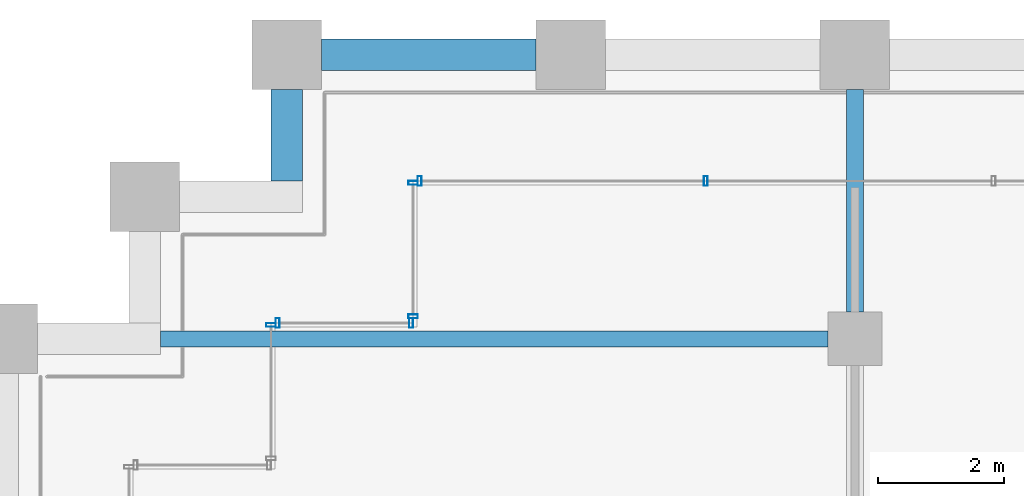
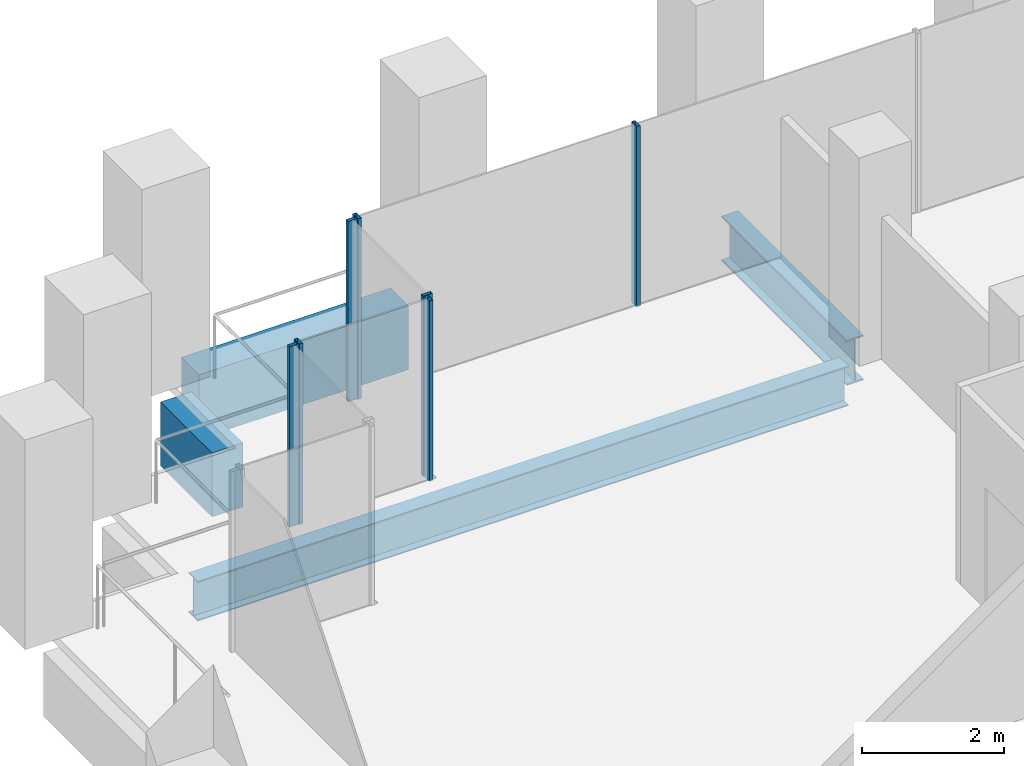
# One storey, part 26 of 56: 7 members, 4 beams, 4 elements without a shape of their own.
"""IFC4 building model written with IfcOpenShell, lengths in metres."""

import ifcopenshell
import ifcopenshell.guid

model = None  # the IFC model being written
_history = None  # IfcOwnerHistory: only IFC2X3 demands one
_inside = {}  # id of a spatial element -> (the spatial element, [elements in it])
_under = {}  # id of a project, library or spatial element -> (it, [spatial elements below it])
_declared = {}  # id of a project -> (the project, [libraries it declares])
_typed = {}  # id of a type object -> (the type object, [elements of that type])
_made_of = {}  # id of a material, layer set ... -> (it, [elements and type objects made of it])


def new_model(schema):
    """Start an empty IFC model of exactly this schema.

    Asked for "IFC4X3", IfcOpenShell would pick the latest addendum, in which some entities
    have other attributes; the version numbers below select the first issue.
    IFC2X3 requires an IfcOwnerHistory on every rooted entity: one is made here for all.
    """
    global model, _history
    if schema == "IFC4X3":
        model = ifcopenshell.file(schema_version=(4, 3, 0, 0))
    else:
        model = ifcopenshell.file(schema=schema)
    _inside.clear()
    _under.clear()
    _declared.clear()
    _typed.clear()
    _made_of.clear()
    _history = None
    if model.schema == "IFC2X3":
        org = make("IfcOrganization", Name="unknown")
        user = make(
            "IfcPersonAndOrganization",
            ThePerson=make("IfcPerson", FamilyName="unknown"),
            TheOrganization=org,
        )
        app = make(
            "IfcApplication",
            ApplicationDeveloper=org,
            Version="unknown",
            ApplicationFullName="unknown",
            ApplicationIdentifier="unknown",
        )
        _history = make(
            "IfcOwnerHistory",
            OwningUser=user,
            OwningApplication=app,
            ChangeAction="ADDED",
            CreationDate=0,
        )
    return model


def make(cls, **values):
    """One entity of the class cls with the attributes given. An attribute that is None is left unset."""
    return model.create_entity(
        cls, **{name: value for name, value in values.items() if value is not None}
    )


def rooted(cls, **values):
    """An entity with a GlobalId (a new one), such as an element, a storey or a relation."""
    return make(cls, GlobalId=ifcopenshell.guid.new(), OwnerHistory=_history, **values)


def si_unit(unit_type, name, prefix=None):
    """IfcSIUnit, for example si_unit("LENGTHUNIT", "METRE", prefix="MILLI")."""
    return make("IfcSIUnit", UnitType=unit_type, Prefix=prefix, Name=name)


def assignment(units):
    """IfcUnitAssignment: the units of a project."""
    return None if units is None else make("IfcUnitAssignment", Units=units)


def point(xyz):
    """IfcCartesianPoint."""
    return None if xyz is None else make("IfcCartesianPoint", Coordinates=xyz)


def direction(xyz):
    """IfcDirection."""
    return None if xyz is None else make("IfcDirection", DirectionRatios=xyz)


def frame(location, z_axis=None, x_axis=None):
    """IfcAxis2Placement3D, a coordinate frame: its origin and axes. An axis left out is left unset."""
    return make(
        "IfcAxis2Placement3D",
        Location=point(location),
        Axis=direction(z_axis),
        RefDirection=direction(x_axis),
    )


def frame_2d(location, x_axis=None):
    """IfcAxis2Placement2D, a coordinate frame in the plane: its origin and x axis."""
    return make(
        "IfcAxis2Placement2D", Location=point(location), RefDirection=direction(x_axis)
    )


def origin():
    """The frame at (0, 0, 0) with its axes left unset."""
    return frame((0.0, 0.0, 0.0))


def origin_2d():
    """The frame at (0, 0) in the plane with its x axis left unset."""
    return frame_2d((0.0, 0.0))


def place(relative_to, where):
    """IfcLocalPlacement: puts the frame where relative to a parent placement (None: the world)."""
    return make(
        "IfcLocalPlacement", PlacementRelTo=relative_to, RelativePlacement=where
    )


def context(
    kind, dimensions, precision=None, world=None, true_north=None, identifier=None
):
    """IfcGeometricRepresentationContext, for example the 3D "Model" context."""
    return make(
        "IfcGeometricRepresentationContext",
        ContextIdentifier=identifier,
        ContextType=kind,
        CoordinateSpaceDimension=dimensions,
        Precision=precision,
        WorldCoordinateSystem=world,
        TrueNorth=true_north,
    )


def subcontext(parent, identifier, kind, view, scale=None):
    """IfcGeometricRepresentationSubContext, for example "Body" below "Model"."""
    return make(
        "IfcGeometricRepresentationSubContext",
        ContextIdentifier=identifier,
        ContextType=kind,
        ParentContext=parent,
        TargetScale=scale,
        TargetView=view,
    )


def project(units=None, contexts=None):
    """IfcProject with its units and contexts."""
    return rooted(
        "IfcProject",
        Name="project",
        RepresentationContexts=contexts,
        UnitsInContext=assignment(units),
    )


def spatial(cls, under=None, at=None, **own):
    """A site, building, storey or space (cls), placed at a placement, below another one or the project."""
    s = rooted(cls, ObjectPlacement=at, **own)
    if under is not None:
        _under.setdefault(under.id(), (under, []))[1].append(s)
    return s


def profile(cls, at=None, kind="AREA", **sizes):
    """A parametric profile (cls). Its sizes go by their IFC names, for example OverallWidth=200.0."""
    return make(cls, ProfileType=kind, Position=at, **sizes)


def rectangle(**sizes):
    """IfcRectangleProfileDef."""
    return profile("IfcRectangleProfileDef", **sizes)


def hollow_rectangle(**sizes):
    """IfcRectangleHollowProfileDef."""
    return profile("IfcRectangleHollowProfileDef", **sizes)


def i_section(**sizes):
    """IfcIShapeProfileDef."""
    return profile("IfcIShapeProfileDef", **sizes)


def extrude(swept, where, along, depth):
    """IfcExtrudedAreaSolid: the profile swept, set in the frame where, extruded along a direction by depth."""
    return make(
        "IfcExtrudedAreaSolid",
        SweptArea=swept,
        Position=where,
        ExtrudedDirection=direction(along),
        Depth=depth,
    )


def shape(context_of_items, identifier, shape_type, items):
    """IfcShapeRepresentation: the items that make up one representation, for example the "Body"."""
    return make(
        "IfcShapeRepresentation",
        ContextOfItems=context_of_items,
        RepresentationIdentifier=identifier,
        RepresentationType=shape_type,
        Items=items,
    )


def material(Name=None, Category=None):
    """IfcMaterial."""
    return make("IfcMaterial", Name=Name, Category=Category)


def material_profile(
    of_material, cross_section, Name=None, Category=None, Priority=None
):
    """IfcMaterialProfile: a cross section and its material."""
    return make(
        "IfcMaterialProfile",
        Name=Name,
        Material=of_material,
        Profile=cross_section,
        Priority=Priority,
        Category=Category,
    )


def profile_set(profiles, Name=None, composite=None):
    """IfcMaterialProfileSet."""
    return make(
        "IfcMaterialProfileSet",
        Name=Name,
        MaterialProfiles=profiles,
        CompositeProfile=composite,
    )


def made_of(thing, what):
    """Note that an element or type object is made of a material, layer set ...; save() writes the relation."""
    if what is not None:
        _made_of.setdefault(what.id(), (what, []))[1].append(thing)
    return thing


def type_object(cls, material=None, **own):
    """A type object (cls), such as IfcWallType, which elements share."""
    return made_of(rooted(cls, **own), material)


def element(
    cls,
    number,
    at=None,
    inside=None,
    cuts=None,
    type_object=None,
    material=None,
    context=None,
    identifier="Body",
    shape_type=None,
    held_by="IfcProductDefinitionShape",
    body=None,
    shapes=None,
    **own,
):
    """One element of the class cls, such as IfcWall. Its Tag is "e" and its number.

    at: its placement. inside: the storey or other place that contains it. cuts: it is an
    opening in that element (IfcRelVoidsElement). A single representation is given by context,
    identifier, shape_type and body (its items); several are given by shapes. held_by: the class
    of the entity that holds the representations. save() writes the other relations.
    """
    e = rooted(cls, Tag="e%d" % number, ObjectPlacement=at, **own)
    if body is not None:
        shapes = [shape(context, identifier, shape_type, body)]
    if shapes is not None:
        e.Representation = make(held_by, Representations=shapes)
    if inside is not None:
        _inside.setdefault(inside.id(), (inside, []))[1].append(e)
    if cuts is not None:
        rooted(
            "IfcRelVoidsElement", RelatingBuildingElement=cuts, RelatedOpeningElement=e
        )
    if type_object is not None:
        _typed.setdefault(type_object.id(), (type_object, []))[1].append(e)
    return made_of(e, material)


def aggregate(whole, parts):
    """IfcRelAggregates: a whole, such as a stair, and the parts it consists of."""
    return rooted("IfcRelAggregates", RelatingObject=whole, RelatedObjects=parts)


def save(model, path):
    """Write the relations noted so far, then the file.

    IfcRelAggregates (storeys below a building ...), IfcRelContainedInSpatialStructure (elements
    in a storey), IfcRelDefinesByType, IfcRelAssociatesMaterial and IfcRelDeclares: one each for
    every whole, place, type object, material and project.
    """
    for whole, parts in _under.values():
        aggregate(whole, parts)
    for where, things in _inside.values():
        rooted(
            "IfcRelContainedInSpatialStructure",
            RelatedElements=things,
            RelatingStructure=where,
        )
    for kind, things in _typed.values():
        rooted("IfcRelDefinesByType", RelatedObjects=things, RelatingType=kind)
    for what, things in _made_of.values():
        rooted("IfcRelAssociatesMaterial", RelatedObjects=things, RelatingMaterial=what)
    for by, libraries in _declared.values():
        rooted("IfcRelDeclares", RelatingContext=by, RelatedDefinitions=libraries)
    model.write(path)


model = new_model("IFC4")

# Units and contexts
model_context = context("Model", 3, precision=1e-05, world=origin(), true_north=direction((0.0, 1.0)))
body_context = subcontext(model_context, "Body", "Model", "MODEL_VIEW")
ifc_project = project(units=[si_unit("LENGTHUNIT", "METRE"), si_unit("AREAUNIT", "SQUARE_METRE"), si_unit("VOLUMEUNIT", "CUBIC_METRE"), si_unit("PLANEANGLEUNIT", "RADIAN"), si_unit("MASSUNIT", "GRAM", prefix="KILO")], contexts=[model_context])

# Site, building, storey
site_placement = place(None, origin())
site = spatial("IfcSite", under=ifc_project, at=site_placement, CompositionType="ELEMENT")
building_placement = place(site_placement, origin())
building = spatial("IfcBuilding", under=site, at=building_placement, Name="Altepetl Exchange Towers", CompositionType="ELEMENT")
storey_placement = place(building_placement, frame((0.0, 0.0, 83.39990234375)))
storey = spatial("IfcBuildingStorey", under=building, at=storey_placement, Name="L20", CompositionType="ELEMENT", Elevation=83.39990234375)

# Beams
ifc_material_1 = material(Name="Steel S355", Category="steel")
ifc_material_profile_1 = material_profile(ifc_material_1, i_section(OverallWidth=0.25390625, OverallDepth=0.68408203125, WebThickness=0.012451171875, FlangeThickness=0.018798828125, at=origin_2d()), Name="W27X94")
ifc_profile_set_1 = profile_set([ifc_material_profile_1], Name="Steel S355")
beam_type_1 = type_object("IfcBeamType", Name="Floor beam W27X94", PredefinedType="BEAM", material=ifc_profile_set_1)
beam_1_placement = place(storey_placement, frame((29.5, 67.5, -0.491943359375), z_axis=(1.0, 0.0, 0.0), x_axis=(0.0, 1.0, 0.0)))
element("IfcBeam", 1, at=beam_1_placement, inside=storey, type_object=beam_type_1, Name="bm:A:L20:023", PredefinedType="BEAM", context=body_context, shape_type="SweptSolid", body=[
    extrude(i_section(OverallWidth=0.25390625, OverallDepth=0.68408203125, WebThickness=0.012451171875, FlangeThickness=0.018798828125, at=origin_2d()), origin(), (0.0, 0.0, 1.0), 10.574951171875),
])
ifc_material_profile_2 = material_profile(ifc_material_1, i_section(OverallWidth=0.26806640625, OverallDepth=0.77392578125, WebThickness=0.015380859375, FlangeThickness=0.025390625, at=origin_2d()), Name="W30X132")
ifc_profile_set_2 = profile_set([ifc_material_profile_2], Name="Steel S355")
beam_type_2 = type_object("IfcBeamType", Name="Girder W30X132", PredefinedType="BEAM", material=ifc_profile_set_2)
beam_2_placement = place(storey_placement, frame((40.5, 71.449951171875, -0.536865234375), z_axis=(0.0, -1.0, 0.0), x_axis=(1.0, 0.0, 0.0)))
element("IfcBeam", 2, at=beam_2_placement, inside=storey, type_object=beam_type_2, Name="gd:A:L20:003", PredefinedType="BEAM", context=body_context, shape_type="SweptSolid", body=[
    extrude(i_section(OverallWidth=0.26806640625, OverallDepth=0.77392578125, WebThickness=0.015380859375, FlangeThickness=0.025390625, at=origin_2d()), origin(), (0.0, 0.0, 1.0), 3.52490234375),
])

# Curtain wall, members
ifc_material_2 = material(Name="Aluminium 6063-T6 glazing", Category="aluminium")
curtain_wall_type = type_object("IfcCurtainWallType", Name="Loggia glazing system", PredefinedType="NOTDEFINED", material=ifc_material_2)
curtain_wall_1_placement = place(storey_placement, origin())
curtain_wall_1 = element("IfcCurtainWall", 3, at=curtain_wall_1_placement, inside=storey, type_object=curtain_wall_type, Name="CW1 run", PredefinedType="NOTDEFINED")
ifc_material_3 = material(Name="Aluminium 6063-T6", Category="aluminium")
ifc_material_profile_3 = material_profile(ifc_material_3, hollow_rectangle(XDim=0.06005859375, YDim=0.14990234375, WallThickness=0.0029296875, at=origin_2d()), Name="Mullion 60x150 aluminium")
ifc_profile_set_3 = profile_set([ifc_material_profile_3], Name="Aluminium 6063-T6")
member_type = type_object("IfcMemberType", Name="Mullion 60x150 aluminium", PredefinedType="MULLION", material=ifc_profile_set_3)
member_1_placement = place(storey_placement, frame((38.1357421875, 70.0, 0.0), z_axis=(0.0, 0.0, 1.0), x_axis=(-1.0, 0.0, 0.0)))
member_1 = element("IfcMember", 4, at=member_1_placement, type_object=member_type, Name="MU1 mullion", PredefinedType="MULLION", context=body_context, shape_type="SweptSolid", body=[
    extrude(hollow_rectangle(XDim=0.06005859375, YDim=0.14990234375, WallThickness=0.0029296875, at=origin_2d()), origin(), (0.0, 0.0, 1.0), 3.10009765625),
])
member_2_placement = place(storey_placement, frame((33.60498046875, 70.0, 0.0), z_axis=(0.0, 0.0, 1.0), x_axis=(-1.0, 0.0, 0.0)))
member_2 = element("IfcMember", 5, at=member_2_placement, type_object=member_type, Name="MU1 mullion", PredefinedType="MULLION", context=body_context, shape_type="SweptSolid", body=[
    extrude(hollow_rectangle(XDim=0.06005859375, YDim=0.14990234375, WallThickness=0.0029296875, at=origin_2d()), origin(), (0.0, 0.0, 1.0), 3.10009765625),
])
aggregate(curtain_wall_1, [member_1, member_2])

curtain_wall_2_placement = place(storey_placement, origin())
curtain_wall_2 = element("IfcCurtainWall", 6, at=curtain_wall_2_placement, inside=storey, type_object=curtain_wall_type, Name="CW1 run", PredefinedType="NOTDEFINED")
member_3_placement = place(storey_placement, frame((33.5, 69.969970703125, 0.0), z_axis=(0.0, 0.0, 1.0), x_axis=(0.0, -1.0, 0.0)))
member_3 = element("IfcMember", 7, at=member_3_placement, type_object=member_type, Name="MU1 mullion", PredefinedType="MULLION", context=body_context, shape_type="SweptSolid", body=[
    extrude(hollow_rectangle(XDim=0.06005859375, YDim=0.14990234375, WallThickness=0.0029296875, at=origin_2d()), origin(), (0.0, 0.0, 1.0), 3.10009765625),
])
member_4_placement = place(storey_placement, frame((33.5, 67.85498046875, 0.0), z_axis=(0.0, 0.0, 1.0), x_axis=(0.0, -1.0, 0.0)))
member_4 = element("IfcMember", 8, at=member_4_placement, type_object=member_type, Name="MU1 mullion", PredefinedType="MULLION", context=body_context, shape_type="SweptSolid", body=[
    extrude(hollow_rectangle(XDim=0.06005859375, YDim=0.14990234375, WallThickness=0.0029296875, at=origin_2d()), origin(), (0.0, 0.0, 1.0), 3.10009765625),
])
aggregate(curtain_wall_2, [member_3, member_4])

curtain_wall_3_placement = place(storey_placement, origin())
curtain_wall_3 = element("IfcCurtainWall", 9, at=curtain_wall_3_placement, inside=storey, type_object=curtain_wall_type, Name="CW1 run", PredefinedType="NOTDEFINED")
member_5_placement = place(storey_placement, frame((33.469970703125, 67.75, 0.0), z_axis=(0.0, 0.0, 1.0), x_axis=(-1.0, 0.0, 0.0)))
member_5 = element("IfcMember", 10, at=member_5_placement, type_object=member_type, Name="MU1 mullion", PredefinedType="MULLION", context=body_context, shape_type="SweptSolid", body=[
    extrude(hollow_rectangle(XDim=0.06005859375, YDim=0.14990234375, WallThickness=0.0029296875, at=origin_2d()), origin(), (0.0, 0.0, 1.0), 3.10009765625),
])
member_6_placement = place(storey_placement, frame((31.35498046875, 67.75, 0.0), z_axis=(0.0, 0.0, 1.0), x_axis=(-1.0, 0.0, 0.0)))
member_6 = element("IfcMember", 11, at=member_6_placement, type_object=member_type, Name="MU1 mullion", PredefinedType="MULLION", context=body_context, shape_type="SweptSolid", body=[
    extrude(hollow_rectangle(XDim=0.06005859375, YDim=0.14990234375, WallThickness=0.0029296875, at=origin_2d()), origin(), (0.0, 0.0, 1.0), 3.10009765625),
])
aggregate(curtain_wall_3, [member_5, member_6])

# Curtain wall, member
curtain_wall_4_placement = place(storey_placement, origin())
curtain_wall_4 = element("IfcCurtainWall", 12, at=curtain_wall_4_placement, inside=storey, type_object=curtain_wall_type, Name="CW1 run", PredefinedType="NOTDEFINED")
member_7_placement = place(storey_placement, frame((31.25, 67.719970703125, 0.0), z_axis=(0.0, 0.0, 1.0), x_axis=(0.0, -1.0, 0.0)))
member_7 = element("IfcMember", 13, at=member_7_placement, type_object=member_type, Name="MU1 mullion", PredefinedType="MULLION", context=body_context, shape_type="SweptSolid", body=[
    extrude(hollow_rectangle(XDim=0.06005859375, YDim=0.14990234375, WallThickness=0.0029296875, at=origin_2d()), origin(), (0.0, 0.0, 1.0), 3.10009765625),
])
aggregate(curtain_wall_4, [member_7])

# Beams
ifc_material_4 = material(Name="Concrete C50/60 precast with tezontle facing", Category="concrete")
ifc_material_profile_4 = material_profile(ifc_material_4, rectangle(XDim=0.5, YDim=1.10009765625, at=origin_2d()), Name="500 x 1100")
ifc_profile_set_4 = profile_set([ifc_material_profile_4], Name="Concrete C50/60 precast with tezontle facing")
beam_type_3 = type_object("IfcBeamType", Name="Spandrel beam 500x1100 tezontle", PredefinedType="SPANDREL", material=ifc_profile_set_4)
beam_3_placement = place(storey_placement, frame((35.449951171875, 72.0, -0.699951171875), z_axis=(-1.0, 0.0, 0.0), x_axis=(0.0, -1.0, 0.0)))
element("IfcBeam", 14, at=beam_3_placement, inside=storey, type_object=beam_type_3, Name="sp:A:L20:031", PredefinedType="SPANDREL", context=body_context, shape_type="SweptSolid", body=[
    extrude(rectangle(XDim=0.5, YDim=1.10009765625, at=origin_2d()), origin(), (0.0, 0.0, 1.0), 3.39990234375),
])
beam_4_placement = place(storey_placement, frame((31.5, 71.449951171875, -0.699951171875), z_axis=(0.0, -1.0, 0.0), x_axis=(1.0, 0.0, 0.0)))
element("IfcBeam", 15, at=beam_4_placement, inside=storey, type_object=beam_type_3, Name="sp:A:L20:032", PredefinedType="SPANDREL", context=body_context, shape_type="SweptSolid", body=[
    extrude(rectangle(XDim=0.5, YDim=1.10009765625, at=origin_2d()), origin(), (0.0, 0.0, 1.0), 1.449951171875),
])

save(model, "model.ifc")
